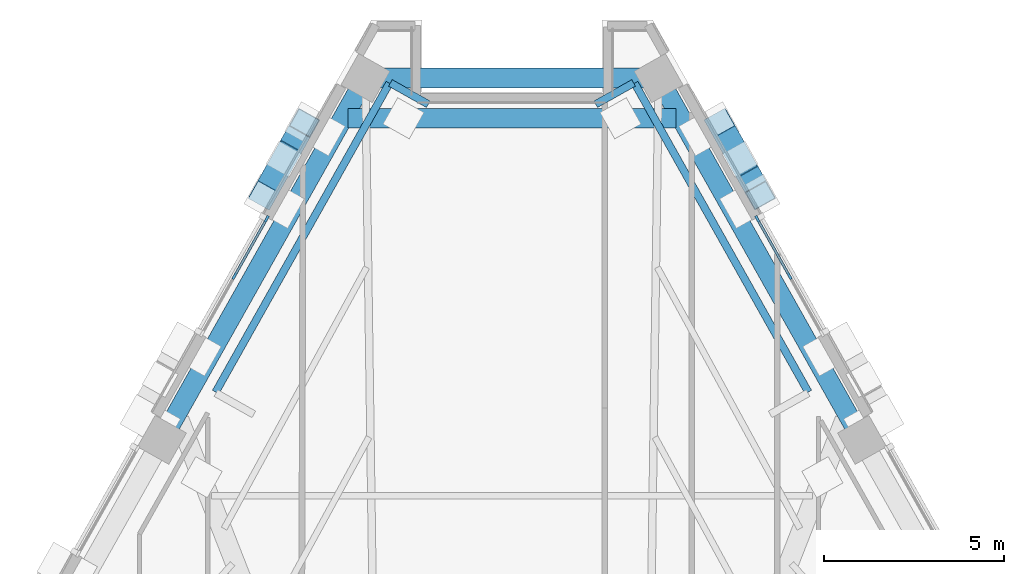
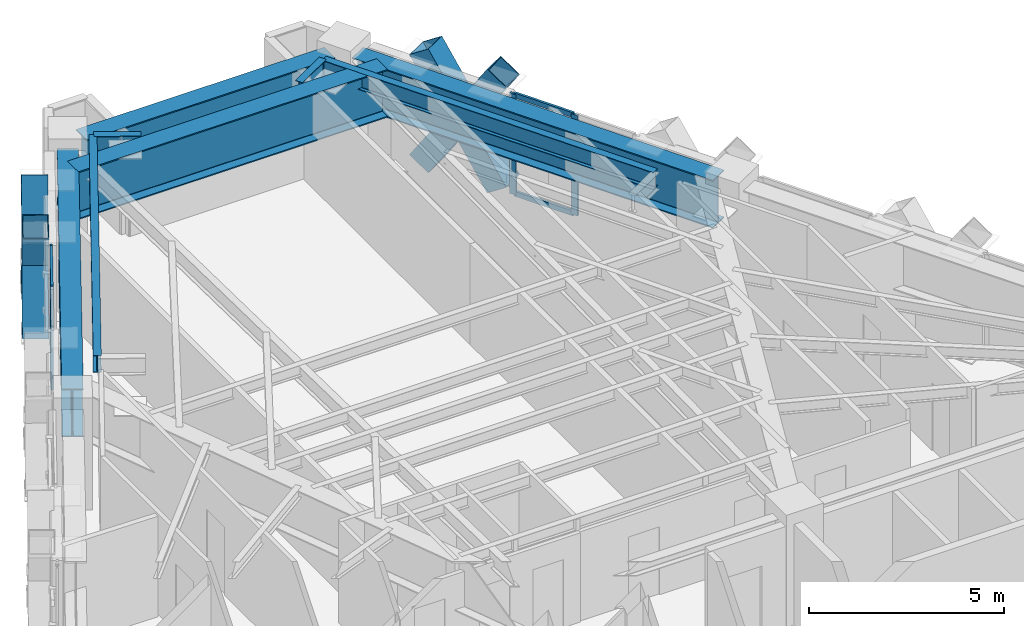
# One storey, part 5 of 13: 14 members, 8 beams, 2 elements without a shape of their own.
"""IFC4 building model written with IfcOpenShell, lengths in metres."""

from ifc_helpers import new_model, si_unit, direction, frame, origin, origin_2d, place, context, subcontext, project, spatial, rectangle, hollow_rectangle, i_section, extrude, material, material_profile, profile_set, type_object, element, aggregate, save


model = new_model("IFC4")

# Units and contexts
model_context = context("Model", 3, precision=1e-05, world=origin(), true_north=direction((0.0, 1.0)))
body_context = subcontext(model_context, "Body", "Model", "MODEL_VIEW")
ifc_project = project(units=[si_unit("LENGTHUNIT", "METRE"), si_unit("AREAUNIT", "SQUARE_METRE"), si_unit("VOLUMEUNIT", "CUBIC_METRE"), si_unit("PLANEANGLEUNIT", "RADIAN"), si_unit("MASSUNIT", "GRAM", prefix="KILO")], contexts=[model_context])

# Site, building, storey
site_placement = place(None, origin())
site = spatial("IfcSite", under=ifc_project, at=site_placement, CompositionType="ELEMENT")
building_placement = place(site_placement, origin())
building = spatial("IfcBuilding", under=site, at=building_placement, Name="Quenlor Broadcast Tower", CompositionType="ELEMENT")
storey_placement = place(building_placement, frame((0.0, 0.0, 175.5)))
storey = spatial("IfcBuildingStorey", under=building, at=storey_placement, Name="L48", CompositionType="ELEMENT", Elevation=175.5)

# Curtain wall, members
ifc_material_1 = material(Name="Architectural Terracotta and Low-E Glazing", Category="masonry")
curtain_wall_type = type_object("IfcCurtainWallType", Name="Unitised Terracotta Curtain Wall System Z3", PredefinedType="NOTDEFINED", material=ifc_material_1)
curtain_wall_1_placement = place(storey_placement, origin())
curtain_wall_1 = element("IfcCurtainWall", 1, at=curtain_wall_1_placement, inside=storey, type_object=curtain_wall_type, Name="L48 Curtain Wall CW3 (L48-NEA-G1)", PredefinedType="NOTDEFINED")
ifc_material_2 = material(Name="Aluminium 6063-T6", Category="aluminium")
ifc_material_profile_1 = material_profile(ifc_material_2, rectangle(XDim=0.070068359375, YDim=0.18994140625, at=origin_2d()))
ifc_profile_set_1 = profile_set([ifc_material_profile_1], Name="Aluminium 6063-T6 MULL70x190")
member_type_1 = type_object("IfcMemberType", Name="CW3 Aluminium Mullion MULL_CW3", PredefinedType="MULLION", material=ifc_profile_set_1)
member_1_placement = place(storey_placement, frame((6.8271484375, 14.90576171875, 0.0), z_axis=(0.0, 0.0, 1.0), x_axis=(0.871570530637, 0.490270139949, 0.0)))
member_1 = element("IfcMember", 2, at=member_1_placement, type_object=member_type_1, Name="CW3 mullion 1", PredefinedType="MULLION", context=body_context, shape_type="SweptSolid", body=[
    extrude(rectangle(XDim=0.070068359375, YDim=0.18994140625, at=origin_2d()), origin(), (0.0, 0.0, 1.0), 3.139892578125),
])
member_2_placement = place(storey_placement, frame((7.725341796875, 13.30908203125, 0.0), z_axis=(0.0, 0.0, 1.0), x_axis=(0.871570530637, 0.490270139949, 0.0)))
member_2 = element("IfcMember", 3, at=member_2_placement, type_object=member_type_1, Name="CW3 mullion 2", PredefinedType="MULLION", context=body_context, shape_type="SweptSolid", body=[
    extrude(rectangle(XDim=0.070068359375, YDim=0.18994140625, at=origin_2d()), origin(), (0.0, 0.0, 1.0), 3.139892578125),
])

curtain_wall_2_placement = place(storey_placement, origin())
curtain_wall_2 = element("IfcCurtainWall", 4, at=curtain_wall_2_placement, inside=storey, type_object=curtain_wall_type, Name="L48 Curtain Wall CW3 (L48-NWC-G1)", PredefinedType="NOTDEFINED")
member_3_placement = place(storey_placement, frame((-7.725341796875, 13.30908203125, 0.0), z_axis=(0.0, 0.0, 1.0), x_axis=(-0.871570530637, 0.490270139949, 0.0)))
member_3 = element("IfcMember", 5, at=member_3_placement, type_object=member_type_1, Name="CW3 mullion 2", PredefinedType="MULLION", context=body_context, shape_type="SweptSolid", body=[
    extrude(rectangle(XDim=0.070068359375, YDim=0.18994140625, at=origin_2d()), origin(), (0.0, 0.0, 1.0), 3.139892578125),
])
member_4_placement = place(storey_placement, frame((-6.8271484375, 14.90576171875, 0.0), z_axis=(0.0, 0.0, 1.0), x_axis=(-0.871570530637, 0.490270139949, 0.0)))
member_4 = element("IfcMember", 6, at=member_4_placement, type_object=member_type_1, Name="CW3 mullion 3", PredefinedType="MULLION", context=body_context, shape_type="SweptSolid", body=[
    extrude(rectangle(XDim=0.070068359375, YDim=0.18994140625, at=origin_2d()), origin(), (0.0, 0.0, 1.0), 3.139892578125),
])

# Member
ifc_material_3 = material(Name="Aluminium 6063-T6", Category="aluminium")
ifc_material_profile_2 = material_profile(ifc_material_3, rectangle(XDim=0.070068359375, YDim=0.155029296875, at=origin_2d()))
ifc_profile_set_2 = profile_set([ifc_material_profile_2], Name="Aluminium 6063-T6 TRAN70x155")
member_type_2 = type_object("IfcMemberType", Name="CW3 Aluminium Transom TRAN_CW3", PredefinedType="USERDEFINED", material=ifc_profile_set_2)
member_5_placement = place(storey_placement, frame((6.84423828125, 14.875244140625, 0.034912109375), z_axis=(0.490353334151, -0.871523727553, 0.0), x_axis=(0.871523727553, 0.490353334151, 0.0)))
member_5 = element("IfcMember", 7, at=member_5_placement, type_object=member_type_2, Name="CW3 transom 1.1", ObjectType="TRANSOM", PredefinedType="USERDEFINED", context=body_context, shape_type="SweptSolid", body=[
    extrude(rectangle(XDim=0.070068359375, YDim=0.155029296875, at=origin_2d()), origin(), (0.0, 0.0, 1.0), 1.761962890625),
])

member_6_placement = place(storey_placement, frame((6.84423828125, 14.875244140625, 3.10498046875), z_axis=(0.490353334151, -0.871523727553, 0.0), x_axis=(0.871523727553, 0.490353334151, 0.0)))
member_6 = element("IfcMember", 8, at=member_6_placement, type_object=member_type_2, Name="CW3 transom 1.2", ObjectType="TRANSOM", PredefinedType="USERDEFINED", context=body_context, shape_type="SweptSolid", body=[
    extrude(rectangle(XDim=0.070068359375, YDim=0.155029296875, at=origin_2d()), origin(), (0.0, 0.0, 1.0), 1.761962890625),
])

aggregate(curtain_wall_1, [member_1, member_2, member_5, member_6])

member_7_placement = place(storey_placement, frame((-7.708251953125, 13.339599609375, 0.034912109375), z_axis=(0.490353334151, 0.871523727553, 0.0), x_axis=(-0.871523727553, 0.490353334151, 0.0)))
member_7 = element("IfcMember", 9, at=member_7_placement, type_object=member_type_2, Name="CW3 transom 2.1", ObjectType="TRANSOM", PredefinedType="USERDEFINED", context=body_context, shape_type="SweptSolid", body=[
    extrude(rectangle(XDim=0.070068359375, YDim=0.155029296875, at=origin_2d()), origin(), (0.0, 0.0, 1.0), 1.761962890625),
])

member_8_placement = place(storey_placement, frame((-7.708251953125, 13.339599609375, 3.10498046875), z_axis=(0.490353334151, 0.871523727553, 0.0), x_axis=(-0.871523727553, 0.490353334151, 0.0)))
member_8 = element("IfcMember", 10, at=member_8_placement, type_object=member_type_2, Name="CW3 transom 2.2", ObjectType="TRANSOM", PredefinedType="USERDEFINED", context=body_context, shape_type="SweptSolid", body=[
    extrude(rectangle(XDim=0.070068359375, YDim=0.155029296875, at=origin_2d()), origin(), (0.0, 0.0, 1.0), 1.761962890625),
])

aggregate(curtain_wall_2, [member_3, member_4, member_7, member_8])

# Members
ifc_material_4 = material(Name="Steel S355", Category="steel")
ifc_material_profile_3 = material_profile(ifc_material_4, hollow_rectangle(XDim=0.679931640625, YDim=0.679931640625, WallThickness=0.02490234375, at=origin_2d()))
ifc_profile_set_3 = profile_set([ifc_material_profile_3], Name="Steel S355 RHS680x680x25")
member_type_3 = type_object("IfcMemberType", Name="Perimeter Diagonal Lattice Brace Z3-Z4 Steel S355 RHS680x25", PredefinedType="BRACE", material=ifc_profile_set_3)
member_9_placement = place(storey_placement, frame((5.77783203125, 17.5771484375, -0.1201171875), z_axis=(0.2705491942, -0.481008661973, 0.833926735766), x_axis=(0.871589611547, 0.490236217596, 0.0)))
element("IfcMember", 11, at=member_9_placement, inside=storey, type_object=member_type_3, Name="L48 Perimeter Diamond Lattice NE-C1XA", PredefinedType="BRACE", context=body_context, shape_type="SweptSolid", body=[
    extrude(hollow_rectangle(XDim=0.679931640625, YDim=0.679931640625, WallThickness=0.02490234375, at=origin_2d()), origin(), (0.0, 0.0, 1.0), 4.197021484375),
])
for number, where, z_axis, x_axis, name in (
    (12, (6.913330078125, 15.558349609375, -0.1201171875), (-0.270616433058, 0.481007832697, 0.833905396938), (-0.871537189362, -0.490329407194, 0.0), "L48 Perimeter Diamond Lattice NE-C1XB1"),
    (13, (6.278076171875, 16.68798828125, 1.83837890625), (-0.270616433058, 0.481007832697, 0.833905396938), (-0.871537189362, -0.490329407194, 0.0), "L48 Perimeter Diamond Lattice NE-C1XB2"),
):
    element("IfcMember", number, at=place(storey_placement, frame(where, z_axis=z_axis, x_axis=x_axis)), inside=storey, type_object=member_type_3, Name=name, PredefinedType="BRACE", context=body_context, shape_type="SweptSolid", body=[
        extrude(hollow_rectangle(XDim=0.679931640625, YDim=0.679931640625, WallThickness=0.02490234375, at=origin_2d()), origin(), (0.0, 0.0, 1.0), 1.8486328125),
    ])
member_10_placement = place(storey_placement, frame((-6.913330078125, 15.558349609375, -0.1201171875), z_axis=(0.2705491942, 0.481008661973, 0.833926735766), x_axis=(-0.871589611547, 0.490236217596, 0.0)))
element("IfcMember", 14, at=member_10_placement, inside=storey, type_object=member_type_3, Name="L48 Perimeter Diamond Lattice NW-C5XA", PredefinedType="BRACE", context=body_context, shape_type="SweptSolid", body=[
    extrude(hollow_rectangle(XDim=0.679931640625, YDim=0.679931640625, WallThickness=0.02490234375, at=origin_2d()), origin(), (0.0, 0.0, 1.0), 4.197021484375),
])
for number, where, z_axis, x_axis, name in (
    (15, (-5.77783203125, 17.5771484375, -0.1201171875), (-0.270616433058, -0.481007832697, 0.833905396938), (0.871537189362, -0.490329407194, 0.0), "L48 Perimeter Diamond Lattice NW-C5XB1"),
    (16, (-6.4130859375, 16.447509765625, 1.83837890625), (-0.270616433058, -0.481007832697, 0.833905396938), (0.871537189362, -0.490329407194, 0.0), "L48 Perimeter Diamond Lattice NW-C5XB2"),
):
    element("IfcMember", number, at=place(storey_placement, frame(where, z_axis=z_axis, x_axis=x_axis)), inside=storey, type_object=member_type_3, Name=name, PredefinedType="BRACE", context=body_context, shape_type="SweptSolid", body=[
        extrude(hollow_rectangle(XDim=0.679931640625, YDim=0.679931640625, WallThickness=0.02490234375, at=origin_2d()), origin(), (0.0, 0.0, 1.0), 1.8486328125),
    ])

# Beams
ifc_material_5 = material(Name="Steel S355", Category="steel")
ifc_material_profile_4 = material_profile(ifc_material_5, i_section(OverallWidth=0.208984375, OverallDepth=0.532958984375, WebThickness=0.01025390625, FlangeThickness=0.015625, FilletRadius=0.013916015625, at=origin_2d()))
ifc_profile_set_4 = profile_set([ifc_material_profile_4], Name="Steel S355 530UB92.4")
beam_type_1 = type_object("IfcBeamType", Name="Perimeter Spandrel Beam Z1 Steel S355 530UB92.4", PredefinedType="SPANDREL", material=ifc_profile_set_4)
beam_1_placement = place(storey_placement, frame((2.330322265625, 18.09521484375, 2.87353515625), z_axis=(0.871661741425, 0.490107956001, 0.0), x_axis=(-0.490107956001, 0.871661741425, 0.0)))
element("IfcBeam", 17, at=beam_1_placement, inside=storey, type_object=beam_type_1, Name="L48 Lattice Sill Radial Tie NEA1", PredefinedType="SPANDREL", context=body_context, shape_type="SweptSolid", body=[
    extrude(i_section(OverallWidth=0.208984375, OverallDepth=0.532958984375, WebThickness=0.01025390625, FlangeThickness=0.015625, FilletRadius=0.013916015625, at=origin_2d()), origin(), (0.0, 0.0, 1.0), 1.2099609375),
])
beam_2_placement = place(storey_placement, frame((3.412109375, 18.6806640625, 2.87353515625), z_axis=(0.490271815244, -0.871569588259, 0.0), x_axis=(0.871569588259, 0.490271815244, 0.0)))
element("IfcBeam", 18, at=beam_2_placement, inside=storey, type_object=beam_type_1, Name="L48 Lattice Sill Girder NEA", PredefinedType="SPANDREL", context=body_context, shape_type="SweptSolid", body=[
    extrude(i_section(OverallWidth=0.208984375, OverallDepth=0.532958984375, WebThickness=0.01025390625, FlangeThickness=0.015625, FilletRadius=0.013916015625, at=origin_2d()), origin(), (0.0, 0.0, 1.0), 9.8642578125),
])
beam_3_placement = place(storey_placement, frame((-2.330322265625, 18.09521484375, 2.87353515625), z_axis=(-0.871661741425, 0.490107956001, 0.0), x_axis=(-0.490107956001, -0.871661741425, 0.0)))
element("IfcBeam", 19, at=beam_3_placement, inside=storey, type_object=beam_type_1, Name="L48 Lattice Sill Radial Tie NWB2", PredefinedType="SPANDREL", context=body_context, shape_type="SweptSolid", body=[
    extrude(i_section(OverallWidth=0.208984375, OverallDepth=0.532958984375, WebThickness=0.01025390625, FlangeThickness=0.015625, FilletRadius=0.013916015625, at=origin_2d()), origin(), (0.0, 0.0, 1.0), 1.2099609375),
])
beam_4_placement = place(storey_placement, frame((-8.248291015625, 10.083251953125, 2.87353515625), z_axis=(0.490271815244, 0.871569588259, 0.0), x_axis=(-0.871569588259, 0.490271815244, 0.0)))
element("IfcBeam", 20, at=beam_4_placement, inside=storey, type_object=beam_type_1, Name="L48 Lattice Sill Girder NWB", PredefinedType="SPANDREL", context=body_context, shape_type="SweptSolid", body=[
    extrude(i_section(OverallWidth=0.208984375, OverallDepth=0.532958984375, WebThickness=0.01025390625, FlangeThickness=0.015625, FilletRadius=0.013916015625, at=origin_2d()), origin(), (0.0, 0.0, 1.0), 9.8642578125),
])
ifc_material_6 = material(Name="Steel S355", Category="steel")
ifc_material_profile_5 = material_profile(ifc_material_6, i_section(OverallWidth=0.550048828125, OverallDepth=1.5, WebThickness=0.02197265625, FlangeThickness=0.034912109375, FilletRadius=0.01806640625, at=origin_2d()))
ifc_profile_set_5 = profile_set([ifc_material_profile_5], Name="Steel S355 1500TG510")
beam_type_2 = type_object("IfcBeamType", Name="Zone Setback Transfer Girder Steel S355 1500", PredefinedType="BEAM", material=ifc_profile_set_5)
beam_5_placement = place(storey_placement, frame((9.5419921875, 9.110595703125, 2.389892578125), z_axis=(-0.490257999604, 0.871577359633, 0.0), x_axis=(-0.871577359633, -0.490257999604, 0.0)))
element("IfcBeam", 21, at=beam_5_placement, inside=storey, type_object=beam_type_2, Name="L48 Spandrel Beam NE3-NE4", PredefinedType="BEAM", context=body_context, shape_type="SweptSolid", body=[
    extrude(i_section(OverallWidth=0.550048828125, OverallDepth=1.5, WebThickness=0.02197265625, FlangeThickness=0.034912109375, FilletRadius=0.01806640625, at=origin_2d()), origin(), (0.0, 0.0, 1.0), 10.732666015625),
])
beam_6_placement = place(storey_placement, frame((3.669189453125, 18.822021484375, 2.389892578125), z_axis=(-1.0, 0.0, 0.0), x_axis=(0.0, -1.0, 0.0)))
element("IfcBeam", 22, at=beam_6_placement, inside=storey, type_object=beam_type_2, Name="L48 Spandrel Beam NE4-NW1", PredefinedType="BEAM", context=body_context, shape_type="SweptSolid", body=[
    extrude(i_section(OverallWidth=0.550048828125, OverallDepth=1.5, WebThickness=0.02197265625, FlangeThickness=0.034912109375, FilletRadius=0.01806640625, at=origin_2d()), origin(), (0.0, 0.0, 1.0), 7.33837890625),
])
beam_7_placement = place(storey_placement, frame((-4.2802734375, 18.46484375, 2.389892578125), z_axis=(-0.490257999604, -0.871577359633, 0.0), x_axis=(0.871577359633, -0.490257999604, 0.0)))
element("IfcBeam", 23, at=beam_7_placement, inside=storey, type_object=beam_type_2, Name="L48 Spandrel Beam NW1-NW2", PredefinedType="BEAM", context=body_context, shape_type="SweptSolid", body=[
    extrude(i_section(OverallWidth=0.550048828125, OverallDepth=1.5, WebThickness=0.02197265625, FlangeThickness=0.034912109375, FilletRadius=0.01806640625, at=origin_2d()), origin(), (0.0, 0.0, 1.0), 10.732666015625),
])
beam_8_placement = place(storey_placement, frame((-4.568115234375, 17.704345703125, 2.389892578125), z_axis=(1.0, 0.0, 0.0), x_axis=(0.0, 1.0, 0.0)))
element("IfcBeam", 24, at=beam_8_placement, inside=storey, type_object=beam_type_2, Name="L48 Apex Setback Transfer Girder", PredefinedType="BEAM", context=body_context, shape_type="SweptSolid", body=[
    extrude(i_section(OverallWidth=0.550048828125, OverallDepth=1.5, WebThickness=0.02197265625, FlangeThickness=0.034912109375, FilletRadius=0.01806640625, at=origin_2d()), origin(), (0.0, 0.0, 1.0), 9.13623046875),
])

save(model, "model.ifc")
